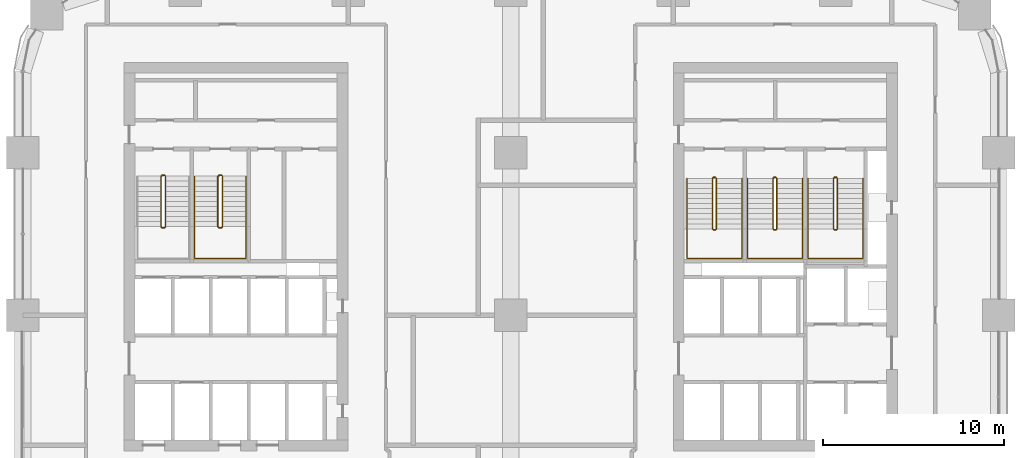
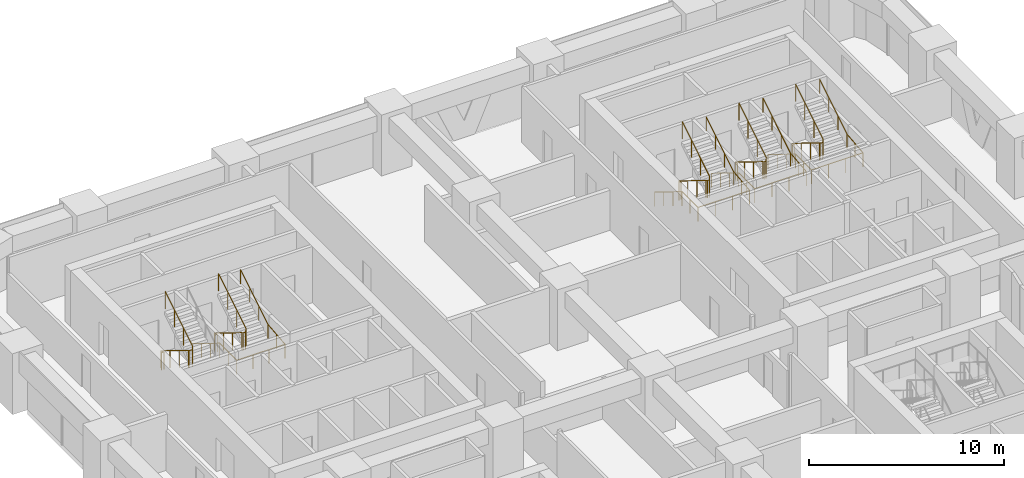
# One storey, part 21 of 21: 9 railings.
"""IFC4 building model written with IfcOpenShell, lengths in metres."""

from ifc_helpers import new_model, si_unit, direction, frame, origin, origin_2d, place, context, subcontext, project, spatial, circle, extrude, material, type_object, element, save


model = new_model("IFC4")

# Units and contexts
model_context = context("Model", 3, precision=1e-05, world=origin(), true_north=direction((0.0, 1.0)))
body_context = subcontext(model_context, "Body", "Model", "MODEL_VIEW")
ifc_project = project(units=[si_unit("LENGTHUNIT", "METRE"), si_unit("AREAUNIT", "SQUARE_METRE"), si_unit("VOLUMEUNIT", "CUBIC_METRE"), si_unit("PLANEANGLEUNIT", "RADIAN"), si_unit("MASSUNIT", "GRAM", prefix="KILO")], contexts=[model_context])

# Site, building, storey
site_placement = place(None, origin())
site = spatial("IfcSite", under=ifc_project, at=site_placement, CompositionType="ELEMENT")
building_placement = place(site_placement, origin())
building = spatial("IfcBuilding", under=site, at=building_placement, Name="Tessera Arch", CompositionType="ELEMENT")
storey_placement = place(building_placement, frame((0.0, 0.0, 69.0)))
storey = spatial("IfcBuildingStorey", under=building, at=storey_placement, Name="L15", CompositionType="ELEMENT", Elevation=69.0)

# Railings
ifc_material_1 = material(Name="Painted steel balustrade", Category="steel")
railing_type_1 = type_object("IfcRailingType", Name="Stair guard 1100", PredefinedType="GUARDRAIL", material=ifc_material_1)
railing_1_placement = place(storey_placement, frame((38.219970703125, 43.6298828125, 0.0)))
element("IfcRailing", 1, at=railing_1_placement, inside=storey, type_object=railing_type_1, Name="L15 S1a stair guard 1", PredefinedType="GUARDRAIL", context=body_context, shape_type="SweptSolid", body=[
    extrude(circle(Radius=0.02392578125, at=origin_2d()), frame((-0.00390625, 0.0, 1.076171875), z_axis=(1.0, 0.0, 0.0), x_axis=(0.0, 1.0, 0.0)), (0.0, 0.0, 1.0), 0.1181640625),
    extrude(circle(Radius=0.02392578125, at=origin_2d()), frame((0.11279296875, 0.000732421875, 1.0732421875), z_axis=(-0.665449600336, -0.206938595226, 0.717184249143), x_axis=(0.296948579431, -0.954893471113, 0.0)), (0.0, 0.0, 1.0), 0.248779296875),
    extrude(circle(Radius=0.02392578125, at=origin_2d()), frame((-0.050048828125, -0.04638671875, 1.24658203125), z_axis=(0.0, -0.851089632645, 0.525020415988), x_axis=(1.0, 0.0, 0.0)), (0.0, 0.0, 1.0), 3.2978515625),
    extrude(circle(Radius=0.02392578125, at=origin_2d()), frame((-0.052978515625, -2.846923828125, 2.97607421875), z_axis=(0.707106781187, -0.707106781187, 0.0), x_axis=(0.707106781187, 0.707106781187, 0.0)), (0.0, 0.0, 1.0), 0.078857421875),
    extrude(circle(Radius=0.02392578125, at=origin_2d()), frame((-0.00390625, -2.89990234375, 2.97607421875), z_axis=(1.0, 0.0, 0.0), x_axis=(0.0, 1.0, 0.0)), (0.0, 0.0, 1.0), 0.1181640625),
    extrude(circle(Radius=0.02392578125, at=origin_2d()), frame((0.109130859375, -2.90087890625, 2.97216796875), z_axis=(0.266739603011, 0.268047150085, 0.925743328097), x_axis=(-0.708833529934, 0.705375805398, 0.0)), (0.0, 0.0, 1.0), 0.19482421875),
    extrude(circle(Radius=0.02392578125, at=origin_2d()), frame((0.159912109375, -2.853271484375, 3.146728515625), z_axis=(0.0, 0.851089632645, 0.525020415988), x_axis=(-1.0, 0.0, 0.0)), (0.0, 0.0, 1.0), 3.2978515625),
    extrude(circle(Radius=0.02099609375, at=origin_2d()), origin(), (0.0, 0.0, 1.0), 1.06396484375),
    extrude(circle(Radius=0.02099609375, at=origin_2d()), frame((0.110107421875, 0.0, 0.0)), (0.0, 0.0, 1.0), 1.06396484375),
    extrude(circle(Radius=0.02099609375, at=origin_2d()), frame((-0.050048828125, -0.0498046875, 0.172607421875)), (0.0, 0.0, 1.0), 1.06396484375),
    extrude(circle(Radius=0.02099609375, at=origin_2d()), frame((-0.050048828125, -0.983154296875, 0.748291015625)), (0.0, 0.0, 1.0), 1.06396484375),
    extrude(circle(Radius=0.02099609375, at=origin_2d()), frame((-0.050048828125, -1.91650390625, 1.32421875)), (0.0, 0.0, 1.0), 1.06396484375),
    extrude(circle(Radius=0.02099609375, at=origin_2d()), frame((-0.050048828125, -2.849853515625, 1.89990234375)), (0.0, 0.0, 1.0), 1.06396484375),
    extrude(circle(Radius=0.02099609375, at=origin_2d()), frame((0.0, -2.89990234375, 1.89990234375)), (0.0, 0.0, 1.0), 1.06396484375),
    extrude(circle(Radius=0.02099609375, at=origin_2d()), frame((0.110107421875, -2.89990234375, 1.89990234375)), (0.0, 0.0, 1.0), 1.06396484375),
    extrude(circle(Radius=0.02099609375, at=origin_2d()), frame((0.159912109375, -2.849853515625, 2.07275390625)), (0.0, 0.0, 1.0), 1.06396484375),
    extrude(circle(Radius=0.02099609375, at=origin_2d()), frame((0.159912109375, -1.91650390625, 2.6484375)), (0.0, 0.0, 1.0), 1.06396484375),
    extrude(circle(Radius=0.02099609375, at=origin_2d()), frame((0.159912109375, -0.983154296875, 3.224365234375)), (0.0, 0.0, 1.0), 1.06396484375),
    extrude(circle(Radius=0.02099609375, at=origin_2d()), frame((0.159912109375, -0.0498046875, 3.800048828125)), (0.0, 0.0, 1.0), 1.06396484375),
])
railing_2_placement = place(storey_placement, frame((41.570068359375, 43.6298828125, 0.0)))
element("IfcRailing", 2, at=railing_2_placement, inside=storey, type_object=railing_type_1, Name="L15 S1b stair guard 1", PredefinedType="GUARDRAIL", context=body_context, shape_type="SweptSolid", body=[
    extrude(circle(Radius=0.02392578125, at=origin_2d()), frame((-0.00390625, 0.0, 1.076171875), z_axis=(1.0, 0.0, 0.0), x_axis=(0.0, 1.0, 0.0)), (0.0, 0.0, 1.0), 0.117919921875),
    extrude(circle(Radius=0.02392578125, at=origin_2d()), frame((0.112548828125, 0.000732421875, 1.0732421875), z_axis=(-0.664883824791, -0.207078321004, 0.717668494851), x_axis=(0.297361876254, -0.954764847777, 0.0)), (0.0, 0.0, 1.0), 0.24853515625),
    extrude(circle(Radius=0.02392578125, at=origin_2d()), frame((-0.050048828125, -0.04638671875, 1.24658203125), z_axis=(0.0, -0.851089632645, 0.525020415988), x_axis=(1.0, 0.0, 0.0)), (0.0, 0.0, 1.0), 3.2978515625),
    extrude(circle(Radius=0.02392578125, at=origin_2d()), frame((-0.052978515625, -2.846923828125, 2.97607421875), z_axis=(0.707106781187, -0.707106781187, 0.0), x_axis=(0.707106781187, 0.707106781187, 0.0)), (0.0, 0.0, 1.0), 0.078857421875),
    extrude(circle(Radius=0.02392578125, at=origin_2d()), frame((-0.00390625, -2.89990234375, 2.97607421875), z_axis=(1.0, 0.0, 0.0), x_axis=(0.0, 1.0, 0.0)), (0.0, 0.0, 1.0), 0.117919921875),
    extrude(circle(Radius=0.02392578125, at=origin_2d()), frame((0.10888671875, -2.90087890625, 2.97216796875), z_axis=(0.267953482034, 0.267953482034, 0.925419830635), x_axis=(-0.707106781187, 0.707106781187, 0.0)), (0.0, 0.0, 1.0), 0.19482421875),
    extrude(circle(Radius=0.02392578125, at=origin_2d()), frame((0.159912109375, -2.853271484375, 3.146728515625), z_axis=(0.0, 0.851089632645, 0.525020415988), x_axis=(-1.0, 0.0, 0.0)), (0.0, 0.0, 1.0), 3.2978515625),
    extrude(circle(Radius=0.02099609375, at=origin_2d()), origin(), (0.0, 0.0, 1.0), 1.06396484375),
    extrude(circle(Radius=0.02099609375, at=origin_2d()), frame((0.10986328125, 0.0, 0.0)), (0.0, 0.0, 1.0), 1.06396484375),
    extrude(circle(Radius=0.02099609375, at=origin_2d()), frame((-0.050048828125, -0.0498046875, 0.172607421875)), (0.0, 0.0, 1.0), 1.06396484375),
    extrude(circle(Radius=0.02099609375, at=origin_2d()), frame((-0.050048828125, -0.983154296875, 0.748291015625)), (0.0, 0.0, 1.0), 1.06396484375),
    extrude(circle(Radius=0.02099609375, at=origin_2d()), frame((-0.050048828125, -1.91650390625, 1.32421875)), (0.0, 0.0, 1.0), 1.06396484375),
    extrude(circle(Radius=0.02099609375, at=origin_2d()), frame((-0.050048828125, -2.849853515625, 1.89990234375)), (0.0, 0.0, 1.0), 1.06396484375),
    extrude(circle(Radius=0.02099609375, at=origin_2d()), frame((0.0, -2.89990234375, 1.89990234375)), (0.0, 0.0, 1.0), 1.06396484375),
    extrude(circle(Radius=0.02099609375, at=origin_2d()), frame((0.10986328125, -2.89990234375, 1.89990234375)), (0.0, 0.0, 1.0), 1.06396484375),
    extrude(circle(Radius=0.02099609375, at=origin_2d()), frame((0.159912109375, -2.849853515625, 2.07275390625)), (0.0, 0.0, 1.0), 1.06396484375),
    extrude(circle(Radius=0.02099609375, at=origin_2d()), frame((0.159912109375, -1.91650390625, 2.6484375)), (0.0, 0.0, 1.0), 1.06396484375),
    extrude(circle(Radius=0.02099609375, at=origin_2d()), frame((0.159912109375, -0.983154296875, 3.224365234375)), (0.0, 0.0, 1.0), 1.06396484375),
    extrude(circle(Radius=0.02099609375, at=origin_2d()), frame((0.159912109375, -0.0498046875, 3.800048828125)), (0.0, 0.0, 1.0), 1.06396484375),
])
railing_3_placement = place(storey_placement, frame((44.919921875, 43.6298828125, 0.0)))
element("IfcRailing", 3, at=railing_3_placement, inside=storey, type_object=railing_type_1, Name="L15 S1c stair guard 1", PredefinedType="GUARDRAIL", context=body_context, shape_type="SweptSolid", body=[
    extrude(circle(Radius=0.02392578125, at=origin_2d()), frame((-0.00390625, 0.0, 1.076171875), z_axis=(1.0, 0.0, 0.0), x_axis=(0.0, 1.0, 0.0)), (0.0, 0.0, 1.0), 0.1181640625),
    extrude(circle(Radius=0.02392578125, at=origin_2d()), frame((0.11279296875, 0.000732421875, 1.0732421875), z_axis=(-0.664883824791, -0.207078321004, 0.717668494851), x_axis=(0.297361876254, -0.954764847777, 0.0)), (0.0, 0.0, 1.0), 0.24853515625),
    extrude(circle(Radius=0.02392578125, at=origin_2d()), frame((-0.0498046875, -0.04638671875, 1.24658203125), z_axis=(0.0, -0.851089632645, 0.525020415988), x_axis=(1.0, 0.0, 0.0)), (0.0, 0.0, 1.0), 3.2978515625),
    extrude(circle(Radius=0.02392578125, at=origin_2d()), frame((-0.052734375, -2.846923828125, 2.97607421875), z_axis=(0.705375805398, -0.708833529934, 0.0), x_axis=(0.708833529934, 0.705375805398, 0.0)), (0.0, 0.0, 1.0), 0.07861328125),
    extrude(circle(Radius=0.02392578125, at=origin_2d()), frame((-0.00390625, -2.89990234375, 2.97607421875), z_axis=(1.0, 0.0, 0.0), x_axis=(0.0, 1.0, 0.0)), (0.0, 0.0, 1.0), 0.1181640625),
    extrude(circle(Radius=0.02392578125, at=origin_2d()), frame((0.109130859375, -2.90087890625, 2.97216796875), z_axis=(0.267953482034, 0.267953482034, 0.925419830635), x_axis=(-0.707106781187, 0.707106781187, 0.0)), (0.0, 0.0, 1.0), 0.19482421875),
    extrude(circle(Radius=0.02392578125, at=origin_2d()), frame((0.16015625, -2.853271484375, 3.146728515625), z_axis=(0.0, 0.851089632645, 0.525020415988), x_axis=(-1.0, 0.0, 0.0)), (0.0, 0.0, 1.0), 3.2978515625),
    extrude(circle(Radius=0.02099609375, at=origin_2d()), origin(), (0.0, 0.0, 1.0), 1.06396484375),
    extrude(circle(Radius=0.02099609375, at=origin_2d()), frame((0.110107421875, 0.0, 0.0)), (0.0, 0.0, 1.0), 1.06396484375),
    extrude(circle(Radius=0.02099609375, at=origin_2d()), frame((-0.0498046875, -0.0498046875, 0.172607421875)), (0.0, 0.0, 1.0), 1.06396484375),
    extrude(circle(Radius=0.02099609375, at=origin_2d()), frame((-0.0498046875, -0.983154296875, 0.748291015625)), (0.0, 0.0, 1.0), 1.06396484375),
    extrude(circle(Radius=0.02099609375, at=origin_2d()), frame((-0.0498046875, -1.91650390625, 1.32421875)), (0.0, 0.0, 1.0), 1.06396484375),
    extrude(circle(Radius=0.02099609375, at=origin_2d()), frame((-0.0498046875, -2.849853515625, 1.89990234375)), (0.0, 0.0, 1.0), 1.06396484375),
    extrude(circle(Radius=0.02099609375, at=origin_2d()), frame((0.0, -2.89990234375, 1.89990234375)), (0.0, 0.0, 1.0), 1.06396484375),
    extrude(circle(Radius=0.02099609375, at=origin_2d()), frame((0.110107421875, -2.89990234375, 1.89990234375)), (0.0, 0.0, 1.0), 1.06396484375),
    extrude(circle(Radius=0.02099609375, at=origin_2d()), frame((0.16015625, -2.849853515625, 2.07275390625)), (0.0, 0.0, 1.0), 1.06396484375),
    extrude(circle(Radius=0.02099609375, at=origin_2d()), frame((0.16015625, -1.91650390625, 2.6484375)), (0.0, 0.0, 1.0), 1.06396484375),
    extrude(circle(Radius=0.02099609375, at=origin_2d()), frame((0.16015625, -0.983154296875, 3.224365234375)), (0.0, 0.0, 1.0), 1.06396484375),
    extrude(circle(Radius=0.02099609375, at=origin_2d()), frame((0.16015625, -0.0498046875, 3.800048828125)), (0.0, 0.0, 1.0), 1.06396484375),
])
railing_4_placement = place(storey_placement, frame((7.699951171875, 43.75, 0.0)))
element("IfcRailing", 4, at=railing_4_placement, inside=storey, type_object=railing_type_1, Name="L15 S2a stair guard 1", PredefinedType="GUARDRAIL", context=body_context, shape_type="SweptSolid", body=[
    extrude(circle(Radius=0.02392578125, at=origin_2d()), frame((-0.00390625, 0.0, 1.076171875), z_axis=(1.0, 0.0, 0.0), x_axis=(0.0, 1.0, 0.0)), (0.0, 0.0, 1.0), 0.158203125),
    extrude(circle(Radius=0.02392578125, at=origin_2d()), frame((0.153076171875, 0.000732421875, 1.073486328125), z_axis=(-0.744141464035, -0.186035366009, 0.641595140332), x_axis=(0.242535625036, -0.970142500145, 0.0)), (0.0, 0.0, 1.0), 0.277099609375),
    extrude(circle(Radius=0.02392578125, at=origin_2d()), frame((-0.050048828125, -0.046630859375, 1.24658203125), z_axis=(0.0, -0.851089632645, 0.525020415988), x_axis=(1.0, 0.0, 0.0)), (0.0, 0.0, 1.0), 3.2978515625),
    extrude(circle(Radius=0.02392578125, at=origin_2d()), frame((-0.052978515625, -2.84716796875, 2.97607421875), z_axis=(0.708833529934, -0.705375805398, 0.0), x_axis=(0.705375805398, 0.708833529934, 0.0)), (0.0, 0.0, 1.0), 0.07861328125),
    extrude(circle(Radius=0.02392578125, at=origin_2d()), frame((-0.00390625, -2.89990234375, 2.97607421875), z_axis=(1.0, 0.0, 0.0), x_axis=(0.0, 1.0, 0.0)), (0.0, 0.0, 1.0), 0.158203125),
    extrude(circle(Radius=0.02392578125, at=origin_2d()), frame((0.149169921875, -2.90087890625, 2.97216796875), z_axis=(0.266832911964, 0.266832911964, 0.926067165051), x_axis=(-0.707106781187, 0.707106781187, 0.0)), (0.0, 0.0, 1.0), 0.194580078125),
    extrude(circle(Radius=0.02392578125, at=origin_2d()), frame((0.199951171875, -2.853515625, 3.146728515625), z_axis=(0.0, 0.851089632645, 0.525020415988), x_axis=(-1.0, 0.0, 0.0)), (0.0, 0.0, 1.0), 3.2978515625),
    extrude(circle(Radius=0.02099609375, at=origin_2d()), origin(), (0.0, 0.0, 1.0), 1.06396484375),
    extrude(circle(Radius=0.02099609375, at=origin_2d()), frame((0.150146484375, 0.0, 0.0)), (0.0, 0.0, 1.0), 1.06396484375),
    extrude(circle(Radius=0.02099609375, at=origin_2d()), frame((-0.050048828125, -0.050048828125, 0.172607421875)), (0.0, 0.0, 1.0), 1.06396484375),
    extrude(circle(Radius=0.02099609375, at=origin_2d()), frame((-0.050048828125, -0.9833984375, 0.748291015625)), (0.0, 0.0, 1.0), 1.06396484375),
    extrude(circle(Radius=0.02099609375, at=origin_2d()), frame((-0.050048828125, -1.916748046875, 1.32421875)), (0.0, 0.0, 1.0), 1.06396484375),
    extrude(circle(Radius=0.02099609375, at=origin_2d()), frame((-0.050048828125, -2.85009765625, 1.89990234375)), (0.0, 0.0, 1.0), 1.06396484375),
    extrude(circle(Radius=0.02099609375, at=origin_2d()), frame((0.0, -2.89990234375, 1.89990234375)), (0.0, 0.0, 1.0), 1.06396484375),
    extrude(circle(Radius=0.02099609375, at=origin_2d()), frame((0.150146484375, -2.89990234375, 1.89990234375)), (0.0, 0.0, 1.0), 1.06396484375),
    extrude(circle(Radius=0.02099609375, at=origin_2d()), frame((0.199951171875, -2.85009765625, 2.07275390625)), (0.0, 0.0, 1.0), 1.06396484375),
    extrude(circle(Radius=0.02099609375, at=origin_2d()), frame((0.199951171875, -1.916748046875, 2.6484375)), (0.0, 0.0, 1.0), 1.06396484375),
    extrude(circle(Radius=0.02099609375, at=origin_2d()), frame((0.199951171875, -0.9833984375, 3.224365234375)), (0.0, 0.0, 1.0), 1.06396484375),
    extrude(circle(Radius=0.02099609375, at=origin_2d()), frame((0.199951171875, -0.050048828125, 3.800048828125)), (0.0, 0.0, 1.0), 1.06396484375),
])
railing_5_placement = place(storey_placement, frame((10.85009765625, 43.75, 0.0)))
element("IfcRailing", 5, at=railing_5_placement, inside=storey, type_object=railing_type_1, Name="L15 S2b stair guard 1", PredefinedType="GUARDRAIL", context=body_context, shape_type="SweptSolid", body=[
    extrude(circle(Radius=0.02392578125, at=origin_2d()), frame((-0.00390625, 0.0, 1.076171875), z_axis=(1.0, 0.0, 0.0), x_axis=(0.0, 1.0, 0.0)), (0.0, 0.0, 1.0), 0.157958984375),
    extrude(circle(Radius=0.02392578125, at=origin_2d()), frame((0.15283203125, 0.000732421875, 1.073486328125), z_axis=(-0.743736083135, -0.18616104645, 0.642028584587), x_axis=(0.242814311512, -0.970072785993, 0.0)), (0.0, 0.0, 1.0), 0.27685546875),
    extrude(circle(Radius=0.02392578125, at=origin_2d()), frame((-0.050048828125, -0.046630859375, 1.24658203125), z_axis=(0.0, -0.851089632645, 0.525020415988), x_axis=(1.0, 0.0, 0.0)), (0.0, 0.0, 1.0), 3.2978515625),
    extrude(circle(Radius=0.02392578125, at=origin_2d()), frame((-0.052978515625, -2.84716796875, 2.97607421875), z_axis=(0.708833529934, -0.705375805398, 0.0), x_axis=(0.705375805398, 0.708833529934, 0.0)), (0.0, 0.0, 1.0), 0.07861328125),
    extrude(circle(Radius=0.02392578125, at=origin_2d()), frame((-0.00390625, -2.89990234375, 2.97607421875), z_axis=(1.0, 0.0, 0.0), x_axis=(0.0, 1.0, 0.0)), (0.0, 0.0, 1.0), 0.157958984375),
    extrude(circle(Radius=0.02392578125, at=origin_2d()), frame((0.14892578125, -2.90087890625, 2.97216796875), z_axis=(0.268047150085, 0.266739603011, 0.925743328097), x_axis=(-0.705375805398, 0.708833529934, 0.0)), (0.0, 0.0, 1.0), 0.19482421875),
    extrude(circle(Radius=0.02392578125, at=origin_2d()), frame((0.199951171875, -2.853515625, 3.146728515625), z_axis=(0.0, 0.851089632645, 0.525020415988), x_axis=(-1.0, 0.0, 0.0)), (0.0, 0.0, 1.0), 3.2978515625),
    extrude(circle(Radius=0.02099609375, at=origin_2d()), origin(), (0.0, 0.0, 1.0), 1.06396484375),
    extrude(circle(Radius=0.02099609375, at=origin_2d()), frame((0.14990234375, 0.0, 0.0)), (0.0, 0.0, 1.0), 1.06396484375),
    extrude(circle(Radius=0.02099609375, at=origin_2d()), frame((-0.050048828125, -0.050048828125, 0.172607421875)), (0.0, 0.0, 1.0), 1.06396484375),
    extrude(circle(Radius=0.02099609375, at=origin_2d()), frame((-0.050048828125, -0.9833984375, 0.748291015625)), (0.0, 0.0, 1.0), 1.06396484375),
    extrude(circle(Radius=0.02099609375, at=origin_2d()), frame((-0.050048828125, -1.916748046875, 1.32421875)), (0.0, 0.0, 1.0), 1.06396484375),
    extrude(circle(Radius=0.02099609375, at=origin_2d()), frame((-0.050048828125, -2.85009765625, 1.89990234375)), (0.0, 0.0, 1.0), 1.06396484375),
    extrude(circle(Radius=0.02099609375, at=origin_2d()), frame((0.0, -2.89990234375, 1.89990234375)), (0.0, 0.0, 1.0), 1.06396484375),
    extrude(circle(Radius=0.02099609375, at=origin_2d()), frame((0.14990234375, -2.89990234375, 1.89990234375)), (0.0, 0.0, 1.0), 1.06396484375),
    extrude(circle(Radius=0.02099609375, at=origin_2d()), frame((0.199951171875, -2.85009765625, 2.07275390625)), (0.0, 0.0, 1.0), 1.06396484375),
    extrude(circle(Radius=0.02099609375, at=origin_2d()), frame((0.199951171875, -1.916748046875, 2.6484375)), (0.0, 0.0, 1.0), 1.06396484375),
    extrude(circle(Radius=0.02099609375, at=origin_2d()), frame((0.199951171875, -0.9833984375, 3.224365234375)), (0.0, 0.0, 1.0), 1.06396484375),
    extrude(circle(Radius=0.02099609375, at=origin_2d()), frame((0.199951171875, -0.050048828125, 3.800048828125)), (0.0, 0.0, 1.0), 1.06396484375),
])
ifc_material_2 = material(Name="Painted steel handrail", Category="steel")
railing_type_2 = type_object("IfcRailingType", Name="Stair handrail 900", PredefinedType="HANDRAIL", material=ifc_material_2)
railing_6_placement = place(storey_placement, frame((36.75, 43.580078125, 0.172607421875)))
element("IfcRailing", 6, at=railing_6_placement, inside=storey, type_object=railing_type_2, Name="L15 S1a stair handrail", PredefinedType="HANDRAIL", context=body_context, shape_type="SweptSolid", body=[
    extrude(circle(Radius=0.02392578125, at=origin_2d()), frame((0.0, 0.00341796875, 0.873779296875), z_axis=(0.0, -0.851089632645, 0.525020415988), x_axis=(1.0, 0.0, 0.0)), (0.0, 0.0, 1.0), 3.2978515625),
    extrude(circle(Radius=0.02392578125, at=origin_2d()), frame((0.0, -2.796142578125, 2.60302734375), z_axis=(0.0, -1.0, 0.0), x_axis=(1.0, 0.0, 0.0)), (0.0, 0.0, 1.0), 1.63818359375),
    extrude(circle(Radius=0.02392578125, at=origin_2d()), frame((-0.00390625, -4.43017578125, 2.60302734375), z_axis=(1.0, 0.0, 0.0), x_axis=(0.0, 1.0, 0.0)), (0.0, 0.0, 1.0), 3.05810546875),
    extrude(circle(Radius=0.02392578125, at=origin_2d()), frame((3.050048828125, -4.43408203125, 2.602783203125), z_axis=(0.0, 0.994425187763, 0.105444515941), x_axis=(-1.0, 0.0, 0.0)), (0.0, 0.0, 1.0), 1.647216796875),
    extrude(circle(Radius=0.02392578125, at=origin_2d()), frame((3.050048828125, -2.803466796875, 2.77392578125), z_axis=(0.0, 0.851089632645, 0.525020415988), x_axis=(-1.0, 0.0, 0.0)), (0.0, 0.0, 1.0), 3.2978515625),
    extrude(circle(Radius=0.02099609375, at=origin_2d()), origin(), (0.0, 0.0, 1.0), 0.86376953125),
    extrude(circle(Radius=0.02099609375, at=origin_2d()), frame((0.0, -0.933349609375, 0.57568359375)), (0.0, 0.0, 1.0), 0.86376953125),
    extrude(circle(Radius=0.02099609375, at=origin_2d()), frame((0.0, -1.86669921875, 1.151611328125)), (0.0, 0.0, 1.0), 0.86376953125),
    extrude(circle(Radius=0.02099609375, at=origin_2d()), frame((0.0, -2.800048828125, 1.727294921875)), (0.0, 0.0, 1.0), 0.86376953125),
    extrude(circle(Radius=0.02099609375, at=origin_2d()), frame((0.0, -3.615234375, 1.727294921875)), (0.0, 0.0, 1.0), 0.86376953125),
    extrude(circle(Radius=0.02099609375, at=origin_2d()), frame((0.0, -4.43017578125, 1.727294921875)), (0.0, 0.0, 1.0), 0.86376953125),
    extrude(circle(Radius=0.02099609375, at=origin_2d()), frame((1.0166015625, -4.43017578125, 1.727294921875)), (0.0, 0.0, 1.0), 0.86376953125),
    extrude(circle(Radius=0.02099609375, at=origin_2d()), frame((2.033447265625, -4.43017578125, 1.727294921875)), (0.0, 0.0, 1.0), 0.86376953125),
    extrude(circle(Radius=0.02099609375, at=origin_2d()), frame((3.050048828125, -4.43017578125, 1.727294921875)), (0.0, 0.0, 1.0), 0.86376953125),
    extrude(circle(Radius=0.02099609375, at=origin_2d()), frame((3.050048828125, -3.615234375, 1.813720703125)), (0.0, 0.0, 1.0), 0.86376953125),
    extrude(circle(Radius=0.02099609375, at=origin_2d()), frame((3.050048828125, -2.800048828125, 1.900146484375)), (0.0, 0.0, 1.0), 0.86376953125),
    extrude(circle(Radius=0.02099609375, at=origin_2d()), frame((3.050048828125, -1.86669921875, 2.475830078125)), (0.0, 0.0, 1.0), 0.86376953125),
    extrude(circle(Radius=0.02099609375, at=origin_2d()), frame((3.050048828125, -0.933349609375, 3.0517578125)), (0.0, 0.0, 1.0), 0.86376953125),
    extrude(circle(Radius=0.02099609375, at=origin_2d()), frame((3.050048828125, 0.0, 3.62744140625)), (0.0, 0.0, 1.0), 0.86376953125),
])
railing_7_placement = place(storey_placement, frame((40.10009765625, 43.580078125, 0.172607421875)))
element("IfcRailing", 7, at=railing_7_placement, inside=storey, type_object=railing_type_2, Name="L15 S1b stair handrail", PredefinedType="HANDRAIL", context=body_context, shape_type="SweptSolid", body=[
    extrude(circle(Radius=0.02392578125, at=origin_2d()), frame((0.0, 0.00341796875, 0.873779296875), z_axis=(0.0, -0.851089632645, 0.525020415988), x_axis=(1.0, 0.0, 0.0)), (0.0, 0.0, 1.0), 3.2978515625),
    extrude(circle(Radius=0.02392578125, at=origin_2d()), frame((0.0, -2.796142578125, 2.60302734375), z_axis=(0.0, -1.0, 0.0), x_axis=(1.0, 0.0, 0.0)), (0.0, 0.0, 1.0), 1.63818359375),
    extrude(circle(Radius=0.02392578125, at=origin_2d()), frame((-0.00390625, -4.43017578125, 2.60302734375), z_axis=(1.0, 0.0, 0.0), x_axis=(0.0, 1.0, 0.0)), (0.0, 0.0, 1.0), 3.057861328125),
    extrude(circle(Radius=0.02392578125, at=origin_2d()), frame((3.0498046875, -4.43408203125, 2.602783203125), z_axis=(0.0, 0.994425187763, 0.105444515941), x_axis=(-1.0, 0.0, 0.0)), (0.0, 0.0, 1.0), 1.647216796875),
    extrude(circle(Radius=0.02392578125, at=origin_2d()), frame((3.0498046875, -2.803466796875, 2.77392578125), z_axis=(0.0, 0.851089632645, 0.525020415988), x_axis=(-1.0, 0.0, 0.0)), (0.0, 0.0, 1.0), 3.2978515625),
    extrude(circle(Radius=0.02099609375, at=origin_2d()), origin(), (0.0, 0.0, 1.0), 0.86376953125),
    extrude(circle(Radius=0.02099609375, at=origin_2d()), frame((0.0, -0.933349609375, 0.57568359375)), (0.0, 0.0, 1.0), 0.86376953125),
    extrude(circle(Radius=0.02099609375, at=origin_2d()), frame((0.0, -1.86669921875, 1.151611328125)), (0.0, 0.0, 1.0), 0.86376953125),
    extrude(circle(Radius=0.02099609375, at=origin_2d()), frame((0.0, -2.800048828125, 1.727294921875)), (0.0, 0.0, 1.0), 0.86376953125),
    extrude(circle(Radius=0.02099609375, at=origin_2d()), frame((0.0, -3.615234375, 1.727294921875)), (0.0, 0.0, 1.0), 0.86376953125),
    extrude(circle(Radius=0.02099609375, at=origin_2d()), frame((0.0, -4.43017578125, 1.727294921875)), (0.0, 0.0, 1.0), 0.86376953125),
    extrude(circle(Radius=0.02099609375, at=origin_2d()), frame((1.0166015625, -4.43017578125, 1.727294921875)), (0.0, 0.0, 1.0), 0.86376953125),
    extrude(circle(Radius=0.02099609375, at=origin_2d()), frame((2.033203125, -4.43017578125, 1.727294921875)), (0.0, 0.0, 1.0), 0.86376953125),
    extrude(circle(Radius=0.02099609375, at=origin_2d()), frame((3.0498046875, -4.43017578125, 1.727294921875)), (0.0, 0.0, 1.0), 0.86376953125),
    extrude(circle(Radius=0.02099609375, at=origin_2d()), frame((3.0498046875, -3.615234375, 1.813720703125)), (0.0, 0.0, 1.0), 0.86376953125),
    extrude(circle(Radius=0.02099609375, at=origin_2d()), frame((3.0498046875, -2.800048828125, 1.900146484375)), (0.0, 0.0, 1.0), 0.86376953125),
    extrude(circle(Radius=0.02099609375, at=origin_2d()), frame((3.0498046875, -1.86669921875, 2.475830078125)), (0.0, 0.0, 1.0), 0.86376953125),
    extrude(circle(Radius=0.02099609375, at=origin_2d()), frame((3.0498046875, -0.933349609375, 3.0517578125)), (0.0, 0.0, 1.0), 0.86376953125),
    extrude(circle(Radius=0.02099609375, at=origin_2d()), frame((3.0498046875, 0.0, 3.62744140625)), (0.0, 0.0, 1.0), 0.86376953125),
])
railing_8_placement = place(storey_placement, frame((43.449951171875, 43.580078125, 0.172607421875)))
element("IfcRailing", 8, at=railing_8_placement, inside=storey, type_object=railing_type_2, Name="L15 S1c stair handrail", PredefinedType="HANDRAIL", context=body_context, shape_type="SweptSolid", body=[
    extrude(circle(Radius=0.02392578125, at=origin_2d()), frame((0.0, 0.00341796875, 0.873779296875), z_axis=(0.0, -0.851089632645, 0.525020415988), x_axis=(1.0, 0.0, 0.0)), (0.0, 0.0, 1.0), 3.2978515625),
    extrude(circle(Radius=0.02392578125, at=origin_2d()), frame((0.0, -2.796142578125, 2.60302734375), z_axis=(0.0, -1.0, 0.0), x_axis=(1.0, 0.0, 0.0)), (0.0, 0.0, 1.0), 1.63818359375),
    extrude(circle(Radius=0.02392578125, at=origin_2d()), frame((-0.00390625, -4.43017578125, 2.60302734375), z_axis=(1.0, 0.0, 0.0), x_axis=(0.0, 1.0, 0.0)), (0.0, 0.0, 1.0), 3.05810546875),
    extrude(circle(Radius=0.02392578125, at=origin_2d()), frame((3.050048828125, -4.43408203125, 2.602783203125), z_axis=(0.0, 0.994425187763, 0.105444515941), x_axis=(-1.0, 0.0, 0.0)), (0.0, 0.0, 1.0), 1.647216796875),
    extrude(circle(Radius=0.02392578125, at=origin_2d()), frame((3.050048828125, -2.803466796875, 2.77392578125), z_axis=(0.0, 0.851089632645, 0.525020415988), x_axis=(-1.0, 0.0, 0.0)), (0.0, 0.0, 1.0), 3.2978515625),
    extrude(circle(Radius=0.02099609375, at=origin_2d()), origin(), (0.0, 0.0, 1.0), 0.86376953125),
    extrude(circle(Radius=0.02099609375, at=origin_2d()), frame((0.0, -0.933349609375, 0.57568359375)), (0.0, 0.0, 1.0), 0.86376953125),
    extrude(circle(Radius=0.02099609375, at=origin_2d()), frame((0.0, -1.86669921875, 1.151611328125)), (0.0, 0.0, 1.0), 0.86376953125),
    extrude(circle(Radius=0.02099609375, at=origin_2d()), frame((0.0, -2.800048828125, 1.727294921875)), (0.0, 0.0, 1.0), 0.86376953125),
    extrude(circle(Radius=0.02099609375, at=origin_2d()), frame((0.0, -3.615234375, 1.727294921875)), (0.0, 0.0, 1.0), 0.86376953125),
    extrude(circle(Radius=0.02099609375, at=origin_2d()), frame((0.0, -4.43017578125, 1.727294921875)), (0.0, 0.0, 1.0), 0.86376953125),
    extrude(circle(Radius=0.02099609375, at=origin_2d()), frame((1.0166015625, -4.43017578125, 1.727294921875)), (0.0, 0.0, 1.0), 0.86376953125),
    extrude(circle(Radius=0.02099609375, at=origin_2d()), frame((2.033447265625, -4.43017578125, 1.727294921875)), (0.0, 0.0, 1.0), 0.86376953125),
    extrude(circle(Radius=0.02099609375, at=origin_2d()), frame((3.050048828125, -4.43017578125, 1.727294921875)), (0.0, 0.0, 1.0), 0.86376953125),
    extrude(circle(Radius=0.02099609375, at=origin_2d()), frame((3.050048828125, -3.615234375, 1.813720703125)), (0.0, 0.0, 1.0), 0.86376953125),
    extrude(circle(Radius=0.02099609375, at=origin_2d()), frame((3.050048828125, -2.800048828125, 1.900146484375)), (0.0, 0.0, 1.0), 0.86376953125),
    extrude(circle(Radius=0.02099609375, at=origin_2d()), frame((3.050048828125, -1.86669921875, 2.475830078125)), (0.0, 0.0, 1.0), 0.86376953125),
    extrude(circle(Radius=0.02099609375, at=origin_2d()), frame((3.050048828125, -0.933349609375, 3.0517578125)), (0.0, 0.0, 1.0), 0.86376953125),
    extrude(circle(Radius=0.02099609375, at=origin_2d()), frame((3.050048828125, 0.0, 3.62744140625)), (0.0, 0.0, 1.0), 0.86376953125),
])
railing_9_placement = place(storey_placement, frame((9.5, 43.699951171875, 0.172607421875)))
element("IfcRailing", 9, at=railing_9_placement, inside=storey, type_object=railing_type_2, Name="L15 S2b stair handrail", PredefinedType="HANDRAIL", context=body_context, shape_type="SweptSolid", body=[
    extrude(circle(Radius=0.02392578125, at=origin_2d()), frame((0.0, 0.00341796875, 0.873779296875), z_axis=(0.0, -0.851089632645, 0.525020415988), x_axis=(1.0, 0.0, 0.0)), (0.0, 0.0, 1.0), 3.2978515625),
    extrude(circle(Radius=0.02392578125, at=origin_2d()), frame((0.0, -2.796142578125, 2.60302734375), z_axis=(0.0, -1.0, 0.0), x_axis=(1.0, 0.0, 0.0)), (0.0, 0.0, 1.0), 1.758056640625),
    extrude(circle(Radius=0.02392578125, at=origin_2d()), frame((-0.00390625, -4.550048828125, 2.60302734375), z_axis=(1.0, 0.0, 0.0), x_axis=(0.0, 1.0, 0.0)), (0.0, 0.0, 1.0), 2.858154296875),
    extrude(circle(Radius=0.02392578125, at=origin_2d()), frame((2.85009765625, -4.553955078125, 2.602783203125), z_axis=(0.0, 0.995157418657, 0.098294008428), x_axis=(-1.0, 0.0, 0.0)), (0.0, 0.0, 1.0), 1.7666015625),
    extrude(circle(Radius=0.02392578125, at=origin_2d()), frame((2.85009765625, -2.803466796875, 2.77392578125), z_axis=(0.0, 0.851089632645, 0.525020415988), x_axis=(-1.0, 0.0, 0.0)), (0.0, 0.0, 1.0), 3.2978515625),
    extrude(circle(Radius=0.02099609375, at=origin_2d()), origin(), (0.0, 0.0, 1.0), 0.86376953125),
    extrude(circle(Radius=0.02099609375, at=origin_2d()), frame((0.0, -0.933349609375, 0.57568359375)), (0.0, 0.0, 1.0), 0.86376953125),
    extrude(circle(Radius=0.02099609375, at=origin_2d()), frame((0.0, -1.86669921875, 1.151611328125)), (0.0, 0.0, 1.0), 0.86376953125),
    extrude(circle(Radius=0.02099609375, at=origin_2d()), frame((0.0, -2.800048828125, 1.727294921875)), (0.0, 0.0, 1.0), 0.86376953125),
    extrude(circle(Radius=0.02099609375, at=origin_2d()), frame((0.0, -3.675048828125, 1.727294921875)), (0.0, 0.0, 1.0), 0.86376953125),
    extrude(circle(Radius=0.02099609375, at=origin_2d()), frame((0.0, -4.550048828125, 1.727294921875)), (0.0, 0.0, 1.0), 0.86376953125),
    extrude(circle(Radius=0.02099609375, at=origin_2d()), frame((0.949951171875, -4.550048828125, 1.727294921875)), (0.0, 0.0, 1.0), 0.86376953125),
    extrude(circle(Radius=0.02099609375, at=origin_2d()), frame((1.900146484375, -4.550048828125, 1.727294921875)), (0.0, 0.0, 1.0), 0.86376953125),
    extrude(circle(Radius=0.02099609375, at=origin_2d()), frame((2.85009765625, -4.550048828125, 1.727294921875)), (0.0, 0.0, 1.0), 0.86376953125),
    extrude(circle(Radius=0.02099609375, at=origin_2d()), frame((2.85009765625, -3.675048828125, 1.813720703125)), (0.0, 0.0, 1.0), 0.86376953125),
    extrude(circle(Radius=0.02099609375, at=origin_2d()), frame((2.85009765625, -2.800048828125, 1.900146484375)), (0.0, 0.0, 1.0), 0.86376953125),
    extrude(circle(Radius=0.02099609375, at=origin_2d()), frame((2.85009765625, -1.86669921875, 2.475830078125)), (0.0, 0.0, 1.0), 0.86376953125),
    extrude(circle(Radius=0.02099609375, at=origin_2d()), frame((2.85009765625, -0.933349609375, 3.0517578125)), (0.0, 0.0, 1.0), 0.86376953125),
    extrude(circle(Radius=0.02099609375, at=origin_2d()), frame((2.85009765625, 0.0, 3.62744140625)), (0.0, 0.0, 1.0), 0.86376953125),
])

save(model, "model.ifc")
